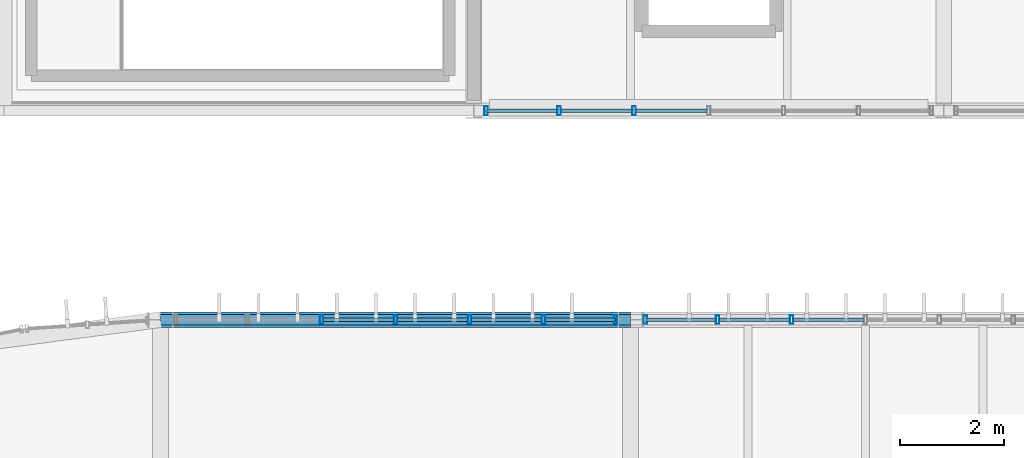
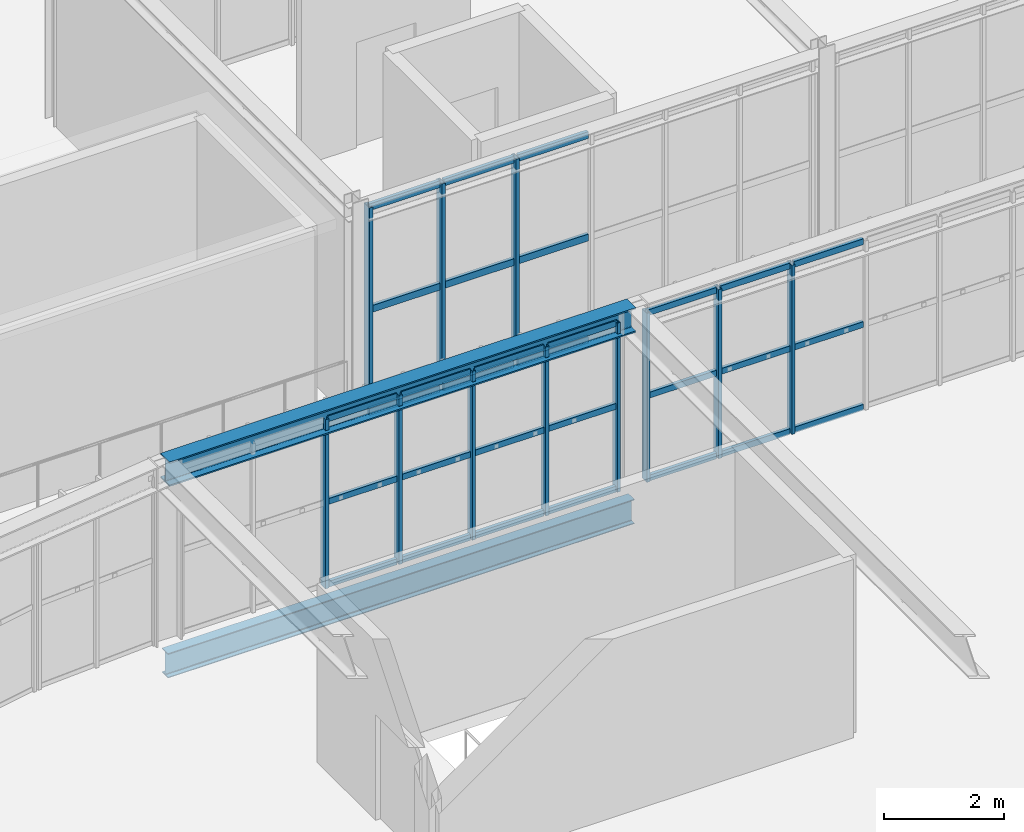
# One storey, part 58 of 152: 41 members, 2 beams, 3 elements without a shape of their own.
"""IFC4 building model written with IfcOpenShell, lengths in metres."""

from ifc_helpers import new_model, si_unit, derived_unit, direction, frame, origin, origin_2d, place, context, subcontext, project, spatial, hollow_rectangle, i_section, extrude, material, material_profile, profile_set, type_object, element, aggregate, save


model = new_model("IFC4")

# Units and contexts
model_context = context("Model", 3, precision=1e-05, world=origin(), true_north=direction((0.0, 1.0)))
body_context = subcontext(model_context, "Body", "Model", "MODEL_VIEW")
ifc_project = project(units=[si_unit("LENGTHUNIT", "METRE"), si_unit("AREAUNIT", "SQUARE_METRE"), si_unit("VOLUMEUNIT", "CUBIC_METRE"), si_unit("PLANEANGLEUNIT", "RADIAN"), si_unit("MASSUNIT", "GRAM", prefix="KILO"), si_unit("THERMODYNAMICTEMPERATUREUNIT", "KELVIN"), si_unit("TIMEUNIT", "SECOND"), derived_unit("THERMALTRANSMITTANCEUNIT", [(si_unit("MASSUNIT", "GRAM", prefix="KILO"), 1), (si_unit("THERMODYNAMICTEMPERATUREUNIT", "KELVIN"), -1), (si_unit("TIMEUNIT", "SECOND"), -3)])], contexts=[model_context])

# Site, building, storey
site_placement = place(None, origin())
site = spatial("IfcSite", under=ifc_project, at=site_placement, CompositionType="ELEMENT")
building_placement = place(site_placement, origin())
building = spatial("IfcBuilding", under=site, at=building_placement, Name="Cambertide Market Hall", CompositionType="ELEMENT")
storey_placement = place(building_placement, frame((0.0, 0.0, 5.39990234375)))
storey = spatial("IfcBuildingStorey", under=building, at=storey_placement, Name="L02", CompositionType="ELEMENT", Elevation=5.39990234375)

# Curtain wall, members
ifc_material_1 = material(Name="Marine Anodized Aluminium 6063-T6 AA25", Category="aluminium")
curtain_wall_type_1 = type_object("IfcCurtainWallType", Name="Lantern Straight Upper Curtain Wall", PredefinedType="USERDEFINED", material=ifc_material_1)
curtain_wall_1_placement = place(storey_placement, origin())
curtain_wall_1 = element("IfcCurtainWall", 1, at=curtain_wall_1_placement, inside=storey, type_object=curtain_wall_type_1, Name="Level 2 Curtain Wall CW-V1N-L02-1", ObjectType="UNITIZED CURTAIN WALL", PredefinedType="USERDEFINED")
ifc_material_2 = material(Name="Champagne Marine Anodized Aluminium 6063-T6 AA25", Category="aluminium")
ifc_material_profile_1 = material_profile(ifc_material_2, hollow_rectangle(XDim=0.06494140625, YDim=0.159912109375, WallThickness=0.00341796875, at=origin_2d()), Name="ALU MULLION 65x160")
ifc_profile_set_1 = profile_set([ifc_material_profile_1], Name="Champagne Marine Anodized Aluminium 6063-T6 AA25")
member_type_1 = type_object("IfcMemberType", Name="Curtain Wall Mullion ALU MULLION 65x160", PredefinedType="MULLION", material=ifc_profile_set_1)
member_1_placement = place(storey_placement, frame((45.083251953125, 92.0, 0.0), z_axis=(0.0, 0.0, 1.0), x_axis=(1.0, 0.0, 0.0)))
member_1 = element("IfcMember", 2, at=member_1_placement, type_object=member_type_1, Name="CW-V1N-L02-1 Mullion 3", PredefinedType="MULLION", context=body_context, shape_type="SweptSolid", body=[
    extrude(hollow_rectangle(XDim=0.06494140625, YDim=0.159912109375, WallThickness=0.00341796875, at=origin_2d()), origin(), (0.0, 0.0, 1.0), 3.4501953125),
])
member_2_placement = place(storey_placement, frame((46.5, 92.0, 0.0), z_axis=(0.0, 0.0, 1.0), x_axis=(1.0, 0.0, 0.0)))
member_2 = element("IfcMember", 3, at=member_2_placement, type_object=member_type_1, Name="CW-V1N-L02-1 Mullion 4", PredefinedType="MULLION", context=body_context, shape_type="SweptSolid", body=[
    extrude(hollow_rectangle(XDim=0.06494140625, YDim=0.159912109375, WallThickness=0.00341796875, at=origin_2d()), origin(), (0.0, 0.0, 1.0), 3.4501953125),
])
member_3_placement = place(storey_placement, frame((47.916748046875, 92.0, 0.0), z_axis=(0.0, 0.0, 1.0), x_axis=(1.0, 0.0, 0.0)))
member_3 = element("IfcMember", 4, at=member_3_placement, type_object=member_type_1, Name="CW-V1N-L02-1 Mullion 5", PredefinedType="MULLION", context=body_context, shape_type="SweptSolid", body=[
    extrude(hollow_rectangle(XDim=0.06494140625, YDim=0.159912109375, WallThickness=0.00341796875, at=origin_2d()), origin(), (0.0, 0.0, 1.0), 3.4501953125),
])
member_4_placement = place(storey_placement, frame((49.333251953125, 92.0, 0.0), z_axis=(0.0, 0.0, 1.0), x_axis=(1.0, 0.0, 0.0)))
member_4 = element("IfcMember", 5, at=member_4_placement, type_object=member_type_1, Name="CW-V1N-L02-1 Mullion 6", PredefinedType="MULLION", context=body_context, shape_type="SweptSolid", body=[
    extrude(hollow_rectangle(XDim=0.06494140625, YDim=0.159912109375, WallThickness=0.00341796875, at=origin_2d()), origin(), (0.0, 0.0, 1.0), 3.4501953125),
])
member_5_placement = place(storey_placement, frame((50.715087890625, 92.0, 0.0), z_axis=(0.0, 0.0, 1.0), x_axis=(1.0, 0.0, 0.0)))
member_5 = element("IfcMember", 6, at=member_5_placement, type_object=member_type_1, Name="CW-V1N-L02-1 Mullion 7", PredefinedType="MULLION", context=body_context, shape_type="SweptSolid", body=[
    extrude(hollow_rectangle(XDim=0.06494140625, YDim=0.159912109375, WallThickness=0.00341796875, at=origin_2d()), origin(), (0.0, 0.0, 1.0), 3.4501953125),
])

curtain_wall_2_placement = place(storey_placement, origin())
curtain_wall_2 = element("IfcCurtainWall", 7, at=curtain_wall_2_placement, inside=storey, type_object=curtain_wall_type_1, Name="Level 2 Curtain Wall CW-V1N-L02-2", ObjectType="UNITIZED CURTAIN WALL", PredefinedType="USERDEFINED")
member_6_placement = place(storey_placement, frame((51.284912109375, 92.0, 0.0), z_axis=(0.0, 0.0, 1.0), x_axis=(1.0, 0.0, 0.0)))
member_6 = element("IfcMember", 8, at=member_6_placement, type_object=member_type_1, Name="CW-V1N-L02-2 Mullion 1", PredefinedType="MULLION", context=body_context, shape_type="SweptSolid", body=[
    extrude(hollow_rectangle(XDim=0.06494140625, YDim=0.159912109375, WallThickness=0.00341796875, at=origin_2d()), origin(), (0.0, 0.0, 1.0), 3.4501953125),
])
member_7_placement = place(storey_placement, frame((52.666748046875, 92.0, 0.0), z_axis=(0.0, 0.0, 1.0), x_axis=(1.0, 0.0, 0.0)))
member_7 = element("IfcMember", 9, at=member_7_placement, type_object=member_type_1, Name="CW-V1N-L02-2 Mullion 2", PredefinedType="MULLION", context=body_context, shape_type="SweptSolid", body=[
    extrude(hollow_rectangle(XDim=0.06494140625, YDim=0.159912109375, WallThickness=0.00341796875, at=origin_2d()), origin(), (0.0, 0.0, 1.0), 3.4501953125),
])
member_8_placement = place(storey_placement, frame((54.083251953125, 92.0, 0.0), z_axis=(0.0, 0.0, 1.0), x_axis=(1.0, 0.0, 0.0)))
member_8 = element("IfcMember", 10, at=member_8_placement, type_object=member_type_1, Name="CW-V1N-L02-2 Mullion 3", PredefinedType="MULLION", context=body_context, shape_type="SweptSolid", body=[
    extrude(hollow_rectangle(XDim=0.06494140625, YDim=0.159912109375, WallThickness=0.00341796875, at=origin_2d()), origin(), (0.0, 0.0, 1.0), 3.4501953125),
])

ifc_material_3 = material(Name="Marine Anodized Aluminium 6063-T6 AA25", Category="aluminium")
curtain_wall_type_2 = type_object("IfcCurtainWallType", Name="Herb Tea Pavilion Terrace Glazed Wall", PredefinedType="USERDEFINED", material=ifc_material_3)
curtain_wall_3_placement = place(storey_placement, origin())
curtain_wall_3 = element("IfcCurtainWall", 11, at=curtain_wall_3_placement, inside=storey, type_object=curtain_wall_type_2, Name="Level 2 Curtain Wall CW-V2PAV-S-4", ObjectType="UNITIZED CURTAIN WALL", PredefinedType="USERDEFINED")
ifc_material_4 = material(Name="Champagne Marine Anodized Aluminium 6063-T6 AA25", Category="aluminium")
ifc_material_profile_2 = material_profile(ifc_material_4, hollow_rectangle(XDim=0.06494140625, YDim=0.179931640625, WallThickness=0.00390625, at=origin_2d()), Name="ALU MULLION 65x180")
ifc_profile_set_2 = profile_set([ifc_material_profile_2], Name="Champagne Marine Anodized Aluminium 6063-T6 AA25")
member_type_2 = type_object("IfcMemberType", Name="Curtain Wall Mullion ALU MULLION 65x180", PredefinedType="MULLION", material=ifc_profile_set_2)
member_9_placement = place(storey_placement, frame((51.066650390625, 96.0, 0.0), z_axis=(0.0, 0.0, 1.0), x_axis=(-1.0, 0.0, 0.0)))
member_9 = element("IfcMember", 12, at=member_9_placement, type_object=member_type_2, Name="CW-V2PAV-S-4 Mullion 5", PredefinedType="MULLION", context=body_context, shape_type="SweptSolid", body=[
    extrude(hollow_rectangle(XDim=0.06494140625, YDim=0.179931640625, WallThickness=0.00390625, at=origin_2d()), origin(), (0.0, 0.0, 1.0), 4.25),
])
member_10_placement = place(storey_placement, frame((49.63330078125, 96.0, 0.0), z_axis=(0.0, 0.0, 1.0), x_axis=(-1.0, 0.0, 0.0)))
member_10 = element("IfcMember", 13, at=member_10_placement, type_object=member_type_2, Name="CW-V2PAV-S-4 Mullion 6", PredefinedType="MULLION", context=body_context, shape_type="SweptSolid", body=[
    extrude(hollow_rectangle(XDim=0.06494140625, YDim=0.179931640625, WallThickness=0.00390625, at=origin_2d()), origin(), (0.0, 0.0, 1.0), 4.25),
])
member_11_placement = place(storey_placement, frame((48.235107421875, 96.0, 0.0), z_axis=(0.0, 0.0, 1.0), x_axis=(-1.0, 0.0, 0.0)))
member_11 = element("IfcMember", 14, at=member_11_placement, type_object=member_type_2, Name="CW-V2PAV-S-4 Mullion 7", PredefinedType="MULLION", context=body_context, shape_type="SweptSolid", body=[
    extrude(hollow_rectangle(XDim=0.06494140625, YDim=0.179931640625, WallThickness=0.00390625, at=origin_2d()), origin(), (0.0, 0.0, 1.0), 4.25),
])

# Member
ifc_material_5 = material(Name="Champagne Marine Anodized Aluminium 6063-T6 AA25", Category="aluminium")
ifc_material_profile_3 = material_profile(ifc_material_5, hollow_rectangle(XDim=0.06494140625, YDim=0.1201171875, WallThickness=0.003173828125, at=origin_2d()), Name="ALU TRANSOM 65x120")
ifc_profile_set_3 = profile_set([ifc_material_profile_3], Name="Champagne Marine Anodized Aluminium 6063-T6 AA25")
member_type_3 = type_object("IfcMemberType", Name="Curtain Wall Transom ALU TRANSOM 65x120", PredefinedType="USERDEFINED", material=ifc_profile_set_3)
member_12_placement = place(storey_placement, frame((45.123291015625, 92.0, 0.03515625), z_axis=(1.0, 0.0, 0.0), x_axis=(0.0, 1.0, 0.0)))
member_12 = element("IfcMember", 15, at=member_12_placement, type_object=member_type_3, Name="CW-V1N-L02-1 Transom 1-3", ObjectType="TRANSOM", PredefinedType="USERDEFINED", context=body_context, shape_type="SweptSolid", body=[
    extrude(hollow_rectangle(XDim=0.06494140625, YDim=0.1201171875, WallThickness=0.003173828125, at=origin_2d()), origin(), (0.0, 0.0, 1.0), 1.336669921875),
])

member_13_placement = place(storey_placement, frame((46.5400390625, 92.0, 0.03515625), z_axis=(1.0, 0.0, 0.0), x_axis=(0.0, 1.0, 0.0)))
member_13 = element("IfcMember", 16, at=member_13_placement, type_object=member_type_3, Name="CW-V1N-L02-1 Transom 1-4", ObjectType="TRANSOM", PredefinedType="USERDEFINED", context=body_context, shape_type="SweptSolid", body=[
    extrude(hollow_rectangle(XDim=0.06494140625, YDim=0.1201171875, WallThickness=0.003173828125, at=origin_2d()), origin(), (0.0, 0.0, 1.0), 1.336669921875),
])

member_14_placement = place(storey_placement, frame((47.956787109375, 92.0, 0.03515625), z_axis=(1.0, 0.0, 0.0), x_axis=(0.0, 1.0, 0.0)))
member_14 = element("IfcMember", 17, at=member_14_placement, type_object=member_type_3, Name="CW-V1N-L02-1 Transom 1-5", ObjectType="TRANSOM", PredefinedType="USERDEFINED", context=body_context, shape_type="SweptSolid", body=[
    extrude(hollow_rectangle(XDim=0.06494140625, YDim=0.1201171875, WallThickness=0.003173828125, at=origin_2d()), origin(), (0.0, 0.0, 1.0), 1.33642578125),
])

member_15_placement = place(storey_placement, frame((49.373291015625, 92.0, 0.03515625), z_axis=(1.0, 0.0, 0.0), x_axis=(0.0, 1.0, 0.0)))
member_15 = element("IfcMember", 18, at=member_15_placement, type_object=member_type_3, Name="CW-V1N-L02-1 Transom 1-6", ObjectType="TRANSOM", PredefinedType="USERDEFINED", context=body_context, shape_type="SweptSolid", body=[
    extrude(hollow_rectangle(XDim=0.06494140625, YDim=0.1201171875, WallThickness=0.003173828125, at=origin_2d()), origin(), (0.0, 0.0, 1.0), 1.336669921875),
])

member_16_placement = place(storey_placement, frame((45.123291015625, 92.0, 1.72509765625), z_axis=(1.0, 0.0, 0.0), x_axis=(0.0, 1.0, 0.0)))
member_16 = element("IfcMember", 19, at=member_16_placement, type_object=member_type_3, Name="CW-V1N-L02-1 Transom 2-3", ObjectType="TRANSOM", PredefinedType="USERDEFINED", context=body_context, shape_type="SweptSolid", body=[
    extrude(hollow_rectangle(XDim=0.06494140625, YDim=0.1201171875, WallThickness=0.003173828125, at=origin_2d()), origin(), (0.0, 0.0, 1.0), 1.336669921875),
])

member_17_placement = place(storey_placement, frame((46.5400390625, 92.0, 1.72509765625), z_axis=(1.0, 0.0, 0.0), x_axis=(0.0, 1.0, 0.0)))
member_17 = element("IfcMember", 20, at=member_17_placement, type_object=member_type_3, Name="CW-V1N-L02-1 Transom 2-4", ObjectType="TRANSOM", PredefinedType="USERDEFINED", context=body_context, shape_type="SweptSolid", body=[
    extrude(hollow_rectangle(XDim=0.06494140625, YDim=0.1201171875, WallThickness=0.003173828125, at=origin_2d()), origin(), (0.0, 0.0, 1.0), 1.336669921875),
])

member_18_placement = place(storey_placement, frame((47.956787109375, 92.0, 1.72509765625), z_axis=(1.0, 0.0, 0.0), x_axis=(0.0, 1.0, 0.0)))
member_18 = element("IfcMember", 21, at=member_18_placement, type_object=member_type_3, Name="CW-V1N-L02-1 Transom 2-5", ObjectType="TRANSOM", PredefinedType="USERDEFINED", context=body_context, shape_type="SweptSolid", body=[
    extrude(hollow_rectangle(XDim=0.06494140625, YDim=0.1201171875, WallThickness=0.003173828125, at=origin_2d()), origin(), (0.0, 0.0, 1.0), 1.33642578125),
])

member_19_placement = place(storey_placement, frame((49.373291015625, 92.0, 1.72509765625), z_axis=(1.0, 0.0, 0.0), x_axis=(0.0, 1.0, 0.0)))
member_19 = element("IfcMember", 22, at=member_19_placement, type_object=member_type_3, Name="CW-V1N-L02-1 Transom 2-6", ObjectType="TRANSOM", PredefinedType="USERDEFINED", context=body_context, shape_type="SweptSolid", body=[
    extrude(hollow_rectangle(XDim=0.06494140625, YDim=0.1201171875, WallThickness=0.003173828125, at=origin_2d()), origin(), (0.0, 0.0, 1.0), 1.336669921875),
])

member_20_placement = place(storey_placement, frame((45.123291015625, 92.0, 3.4150390625), z_axis=(1.0, 0.0, 0.0), x_axis=(0.0, 1.0, 0.0)))
member_20 = element("IfcMember", 23, at=member_20_placement, type_object=member_type_3, Name="CW-V1N-L02-1 Transom 3-3", ObjectType="TRANSOM", PredefinedType="USERDEFINED", context=body_context, shape_type="SweptSolid", body=[
    extrude(hollow_rectangle(XDim=0.06494140625, YDim=0.1201171875, WallThickness=0.003173828125, at=origin_2d()), origin(), (0.0, 0.0, 1.0), 1.336669921875),
])

member_21_placement = place(storey_placement, frame((46.5400390625, 92.0, 3.4150390625), z_axis=(1.0, 0.0, 0.0), x_axis=(0.0, 1.0, 0.0)))
member_21 = element("IfcMember", 24, at=member_21_placement, type_object=member_type_3, Name="CW-V1N-L02-1 Transom 3-4", ObjectType="TRANSOM", PredefinedType="USERDEFINED", context=body_context, shape_type="SweptSolid", body=[
    extrude(hollow_rectangle(XDim=0.06494140625, YDim=0.1201171875, WallThickness=0.003173828125, at=origin_2d()), origin(), (0.0, 0.0, 1.0), 1.336669921875),
])

member_22_placement = place(storey_placement, frame((47.956787109375, 92.0, 3.4150390625), z_axis=(1.0, 0.0, 0.0), x_axis=(0.0, 1.0, 0.0)))
member_22 = element("IfcMember", 25, at=member_22_placement, type_object=member_type_3, Name="CW-V1N-L02-1 Transom 3-5", ObjectType="TRANSOM", PredefinedType="USERDEFINED", context=body_context, shape_type="SweptSolid", body=[
    extrude(hollow_rectangle(XDim=0.06494140625, YDim=0.1201171875, WallThickness=0.003173828125, at=origin_2d()), origin(), (0.0, 0.0, 1.0), 1.33642578125),
])

member_23_placement = place(storey_placement, frame((49.373291015625, 92.0, 3.4150390625), z_axis=(1.0, 0.0, 0.0), x_axis=(0.0, 1.0, 0.0)))
member_23 = element("IfcMember", 26, at=member_23_placement, type_object=member_type_3, Name="CW-V1N-L02-1 Transom 3-6", ObjectType="TRANSOM", PredefinedType="USERDEFINED", context=body_context, shape_type="SweptSolid", body=[
    extrude(hollow_rectangle(XDim=0.06494140625, YDim=0.1201171875, WallThickness=0.003173828125, at=origin_2d()), origin(), (0.0, 0.0, 1.0), 1.336669921875),
])

aggregate(curtain_wall_1, [member_1, member_2, member_3, member_4, member_5, member_12, member_13, member_14, member_15, member_16, member_17, member_18, member_19, member_20, member_21, member_22, member_23])

member_24_placement = place(storey_placement, frame((51.2900390625, 92.0, 0.03515625), z_axis=(1.0, 0.0, 0.0), x_axis=(0.0, 1.0, 0.0)))
member_24 = element("IfcMember", 27, at=member_24_placement, type_object=member_type_3, Name="CW-V1N-L02-2 Transom 1-1", ObjectType="TRANSOM", PredefinedType="USERDEFINED", context=body_context, shape_type="SweptSolid", body=[
    extrude(hollow_rectangle(XDim=0.06494140625, YDim=0.1201171875, WallThickness=0.003173828125, at=origin_2d()), origin(), (0.0, 0.0, 1.0), 1.336669921875),
])

member_25_placement = place(storey_placement, frame((52.706787109375, 92.0, 0.03515625), z_axis=(1.0, 0.0, 0.0), x_axis=(0.0, 1.0, 0.0)))
member_25 = element("IfcMember", 28, at=member_25_placement, type_object=member_type_3, Name="CW-V1N-L02-2 Transom 1-2", ObjectType="TRANSOM", PredefinedType="USERDEFINED", context=body_context, shape_type="SweptSolid", body=[
    extrude(hollow_rectangle(XDim=0.06494140625, YDim=0.1201171875, WallThickness=0.003173828125, at=origin_2d()), origin(), (0.0, 0.0, 1.0), 1.33642578125),
])

member_26_placement = place(storey_placement, frame((54.123291015625, 92.0, 0.03515625), z_axis=(1.0, 0.0, 0.0), x_axis=(0.0, 1.0, 0.0)))
member_26 = element("IfcMember", 29, at=member_26_placement, type_object=member_type_3, Name="CW-V1N-L02-2 Transom 1-3", ObjectType="TRANSOM", PredefinedType="USERDEFINED", context=body_context, shape_type="SweptSolid", body=[
    extrude(hollow_rectangle(XDim=0.06494140625, YDim=0.1201171875, WallThickness=0.003173828125, at=origin_2d()), origin(), (0.0, 0.0, 1.0), 1.336669921875),
])

member_27_placement = place(storey_placement, frame((51.2900390625, 92.0, 1.72509765625), z_axis=(1.0, 0.0, 0.0), x_axis=(0.0, 1.0, 0.0)))
member_27 = element("IfcMember", 30, at=member_27_placement, type_object=member_type_3, Name="CW-V1N-L02-2 Transom 2-1", ObjectType="TRANSOM", PredefinedType="USERDEFINED", context=body_context, shape_type="SweptSolid", body=[
    extrude(hollow_rectangle(XDim=0.06494140625, YDim=0.1201171875, WallThickness=0.003173828125, at=origin_2d()), origin(), (0.0, 0.0, 1.0), 1.336669921875),
])

member_28_placement = place(storey_placement, frame((52.706787109375, 92.0, 1.72509765625), z_axis=(1.0, 0.0, 0.0), x_axis=(0.0, 1.0, 0.0)))
member_28 = element("IfcMember", 31, at=member_28_placement, type_object=member_type_3, Name="CW-V1N-L02-2 Transom 2-2", ObjectType="TRANSOM", PredefinedType="USERDEFINED", context=body_context, shape_type="SweptSolid", body=[
    extrude(hollow_rectangle(XDim=0.06494140625, YDim=0.1201171875, WallThickness=0.003173828125, at=origin_2d()), origin(), (0.0, 0.0, 1.0), 1.33642578125),
])

member_29_placement = place(storey_placement, frame((54.123291015625, 92.0, 1.72509765625), z_axis=(1.0, 0.0, 0.0), x_axis=(0.0, 1.0, 0.0)))
member_29 = element("IfcMember", 32, at=member_29_placement, type_object=member_type_3, Name="CW-V1N-L02-2 Transom 2-3", ObjectType="TRANSOM", PredefinedType="USERDEFINED", context=body_context, shape_type="SweptSolid", body=[
    extrude(hollow_rectangle(XDim=0.06494140625, YDim=0.1201171875, WallThickness=0.003173828125, at=origin_2d()), origin(), (0.0, 0.0, 1.0), 1.336669921875),
])

member_30_placement = place(storey_placement, frame((51.2900390625, 92.0, 3.4150390625), z_axis=(1.0, 0.0, 0.0), x_axis=(0.0, 1.0, 0.0)))
member_30 = element("IfcMember", 33, at=member_30_placement, type_object=member_type_3, Name="CW-V1N-L02-2 Transom 3-1", ObjectType="TRANSOM", PredefinedType="USERDEFINED", context=body_context, shape_type="SweptSolid", body=[
    extrude(hollow_rectangle(XDim=0.06494140625, YDim=0.1201171875, WallThickness=0.003173828125, at=origin_2d()), origin(), (0.0, 0.0, 1.0), 1.336669921875),
])

member_31_placement = place(storey_placement, frame((52.706787109375, 92.0, 3.4150390625), z_axis=(1.0, 0.0, 0.0), x_axis=(0.0, 1.0, 0.0)))
member_31 = element("IfcMember", 34, at=member_31_placement, type_object=member_type_3, Name="CW-V1N-L02-2 Transom 3-2", ObjectType="TRANSOM", PredefinedType="USERDEFINED", context=body_context, shape_type="SweptSolid", body=[
    extrude(hollow_rectangle(XDim=0.06494140625, YDim=0.1201171875, WallThickness=0.003173828125, at=origin_2d()), origin(), (0.0, 0.0, 1.0), 1.33642578125),
])

member_32_placement = place(storey_placement, frame((54.123291015625, 92.0, 3.4150390625), z_axis=(1.0, 0.0, 0.0), x_axis=(0.0, 1.0, 0.0)))
member_32 = element("IfcMember", 35, at=member_32_placement, type_object=member_type_3, Name="CW-V1N-L02-2 Transom 3-3", ObjectType="TRANSOM", PredefinedType="USERDEFINED", context=body_context, shape_type="SweptSolid", body=[
    extrude(hollow_rectangle(XDim=0.06494140625, YDim=0.1201171875, WallThickness=0.003173828125, at=origin_2d()), origin(), (0.0, 0.0, 1.0), 1.336669921875),
])

aggregate(curtain_wall_2, [member_6, member_7, member_8, member_24, member_25, member_26, member_27, member_28, member_29, member_30, member_31, member_32])

ifc_material_6 = material(Name="Champagne Marine Anodized Aluminium 6063-T6 AA25", Category="aluminium")
ifc_material_profile_4 = material_profile(ifc_material_6, hollow_rectangle(XDim=0.06494140625, YDim=0.139892578125, WallThickness=0.00341796875, at=origin_2d()), Name="ALU TRANSOM 65x140")
ifc_profile_set_4 = profile_set([ifc_material_profile_4], Name="Champagne Marine Anodized Aluminium 6063-T6 AA25")
member_type_4 = type_object("IfcMemberType", Name="Curtain Wall Transom ALU TRANSOM 65x140", PredefinedType="USERDEFINED", material=ifc_profile_set_4)
member_33_placement = place(storey_placement, frame((52.4599609375, 96.0, 0.03515625), z_axis=(-1.0, 0.0, 0.0), x_axis=(0.0, -1.0, 0.0)))
member_33 = element("IfcMember", 36, at=member_33_placement, type_object=member_type_4, Name="CW-V2PAV-S-4 Transom 1-4", ObjectType="TRANSOM", PredefinedType="USERDEFINED", context=body_context, shape_type="SweptSolid", body=[
    extrude(hollow_rectangle(XDim=0.06494140625, YDim=0.139892578125, WallThickness=0.00341796875, at=origin_2d()), origin(), (0.0, 0.0, 1.0), 1.353271484375),
])

member_34_placement = place(storey_placement, frame((51.026611328125, 96.0, 0.03515625), z_axis=(-1.0, 0.0, 0.0), x_axis=(0.0, -1.0, 0.0)))
member_34 = element("IfcMember", 37, at=member_34_placement, type_object=member_type_4, Name="CW-V2PAV-S-4 Transom 1-5", ObjectType="TRANSOM", PredefinedType="USERDEFINED", context=body_context, shape_type="SweptSolid", body=[
    extrude(hollow_rectangle(XDim=0.06494140625, YDim=0.139892578125, WallThickness=0.00341796875, at=origin_2d()), origin(), (0.0, 0.0, 1.0), 1.353271484375),
])

member_35_placement = place(storey_placement, frame((49.59326171875, 96.0, 0.03515625), z_axis=(-1.0, 0.0, 0.0), x_axis=(0.0, -1.0, 0.0)))
member_35 = element("IfcMember", 38, at=member_35_placement, type_object=member_type_4, Name="CW-V2PAV-S-4 Transom 1-6", ObjectType="TRANSOM", PredefinedType="USERDEFINED", context=body_context, shape_type="SweptSolid", body=[
    extrude(hollow_rectangle(XDim=0.06494140625, YDim=0.139892578125, WallThickness=0.00341796875, at=origin_2d()), origin(), (0.0, 0.0, 1.0), 1.353271484375),
])

member_36_placement = place(storey_placement, frame((52.4599609375, 96.0, 2.125), z_axis=(-1.0, 0.0, 0.0), x_axis=(0.0, -1.0, 0.0)))
member_36 = element("IfcMember", 39, at=member_36_placement, type_object=member_type_4, Name="CW-V2PAV-S-4 Transom 2-4", ObjectType="TRANSOM", PredefinedType="USERDEFINED", context=body_context, shape_type="SweptSolid", body=[
    extrude(hollow_rectangle(XDim=0.06494140625, YDim=0.139892578125, WallThickness=0.00341796875, at=origin_2d()), origin(), (0.0, 0.0, 1.0), 1.353271484375),
])

member_37_placement = place(storey_placement, frame((51.026611328125, 96.0, 2.125), z_axis=(-1.0, 0.0, 0.0), x_axis=(0.0, -1.0, 0.0)))
member_37 = element("IfcMember", 40, at=member_37_placement, type_object=member_type_4, Name="CW-V2PAV-S-4 Transom 2-5", ObjectType="TRANSOM", PredefinedType="USERDEFINED", context=body_context, shape_type="SweptSolid", body=[
    extrude(hollow_rectangle(XDim=0.06494140625, YDim=0.139892578125, WallThickness=0.00341796875, at=origin_2d()), origin(), (0.0, 0.0, 1.0), 1.353271484375),
])

member_38_placement = place(storey_placement, frame((49.59326171875, 96.0, 2.125), z_axis=(-1.0, 0.0, 0.0), x_axis=(0.0, -1.0, 0.0)))
member_38 = element("IfcMember", 41, at=member_38_placement, type_object=member_type_4, Name="CW-V2PAV-S-4 Transom 2-6", ObjectType="TRANSOM", PredefinedType="USERDEFINED", context=body_context, shape_type="SweptSolid", body=[
    extrude(hollow_rectangle(XDim=0.06494140625, YDim=0.139892578125, WallThickness=0.00341796875, at=origin_2d()), origin(), (0.0, 0.0, 1.0), 1.353271484375),
])

member_39_placement = place(storey_placement, frame((52.4599609375, 96.0, 4.215087890625), z_axis=(-1.0, 0.0, 0.0), x_axis=(0.0, -1.0, 0.0)))
member_39 = element("IfcMember", 42, at=member_39_placement, type_object=member_type_4, Name="CW-V2PAV-S-4 Transom 3-4", ObjectType="TRANSOM", PredefinedType="USERDEFINED", context=body_context, shape_type="SweptSolid", body=[
    extrude(hollow_rectangle(XDim=0.06494140625, YDim=0.139892578125, WallThickness=0.00341796875, at=origin_2d()), origin(), (0.0, 0.0, 1.0), 1.353271484375),
])

member_40_placement = place(storey_placement, frame((51.026611328125, 96.0, 4.215087890625), z_axis=(-1.0, 0.0, 0.0), x_axis=(0.0, -1.0, 0.0)))
member_40 = element("IfcMember", 43, at=member_40_placement, type_object=member_type_4, Name="CW-V2PAV-S-4 Transom 3-5", ObjectType="TRANSOM", PredefinedType="USERDEFINED", context=body_context, shape_type="SweptSolid", body=[
    extrude(hollow_rectangle(XDim=0.06494140625, YDim=0.139892578125, WallThickness=0.00341796875, at=origin_2d()), origin(), (0.0, 0.0, 1.0), 1.353271484375),
])

member_41_placement = place(storey_placement, frame((49.59326171875, 96.0, 4.215087890625), z_axis=(-1.0, 0.0, 0.0), x_axis=(0.0, -1.0, 0.0)))
member_41 = element("IfcMember", 44, at=member_41_placement, type_object=member_type_4, Name="CW-V2PAV-S-4 Transom 3-6", ObjectType="TRANSOM", PredefinedType="USERDEFINED", context=body_context, shape_type="SweptSolid", body=[
    extrude(hollow_rectangle(XDim=0.06494140625, YDim=0.139892578125, WallThickness=0.00341796875, at=origin_2d()), origin(), (0.0, 0.0, 1.0), 1.353271484375),
])

aggregate(curtain_wall_3, [member_9, member_10, member_11, member_33, member_34, member_35, member_36, member_37, member_38, member_39, member_40, member_41])

# Beams
ifc_material_7 = material(Name="Steel S355", Category="steel")
ifc_material_profile_5 = material_profile(ifc_material_7, i_section(OverallWidth=0.300048828125, OverallDepth=0.5, WebThickness=0.014404296875, FlangeThickness=0.028076171875, FilletRadius=0.027099609375, at=origin_2d()), Name="HEB 500")
ifc_profile_set_5 = profile_set([ifc_material_profile_5], Name="Steel S355")
beam_type_1 = type_object("IfcBeamType", Name="Exterior Steel Girder HEB 500", PredefinedType="BEAM", material=ifc_profile_set_5)
beam_1_placement = place(storey_placement, frame((42.0, 92.0, 3.4501953125), z_axis=(1.0, 0.0, 0.0), x_axis=(0.0, 1.0, 0.0)))
element("IfcBeam", 45, at=beam_1_placement, inside=storey, type_object=beam_type_1, Name="Level 2 Beam EAVE-V1N-1", PredefinedType="BEAM", context=body_context, shape_type="SweptSolid", body=[
    extrude(i_section(OverallWidth=0.300048828125, OverallDepth=0.5, WebThickness=0.014404296875, FlangeThickness=0.028076171875, FilletRadius=0.027099609375, at=origin_2d()), origin(), (0.0, 0.0, 1.0), 9.0),
])
ifc_material_8 = material(Name="Steel S355", Category="steel")
ifc_material_profile_6 = material_profile(ifc_material_8, i_section(OverallWidth=0.199951171875, OverallDepth=0.5, WebThickness=0.01025390625, FlangeThickness=0.01611328125, FilletRadius=0.02099609375, at=origin_2d()), Name="IPE 500")
ifc_profile_set_6 = profile_set([ifc_material_profile_6], Name="Steel S355")
beam_type_2 = type_object("IfcBeamType", Name="Perimeter Spandrel Beam IPE 500", PredefinedType="SPANDREL", material=ifc_profile_set_6)
beam_2_placement = place(storey_placement, frame((42.0, 92.0, -0.489990234375), z_axis=(1.0, 0.0, 0.0), x_axis=(0.0, 1.0, 0.0)))
element("IfcBeam", 46, at=beam_2_placement, inside=storey, type_object=beam_type_2, Name="Level 2 Spandrel BM-V1N-L02-1", PredefinedType="SPANDREL", context=body_context, shape_type="SweptSolid", body=[
    extrude(i_section(OverallWidth=0.199951171875, OverallDepth=0.5, WebThickness=0.01025390625, FlangeThickness=0.01611328125, FilletRadius=0.02099609375, at=origin_2d()), origin(), (0.0, 0.0, 1.0), 9.0),
])

save(model, "model.ifc")
